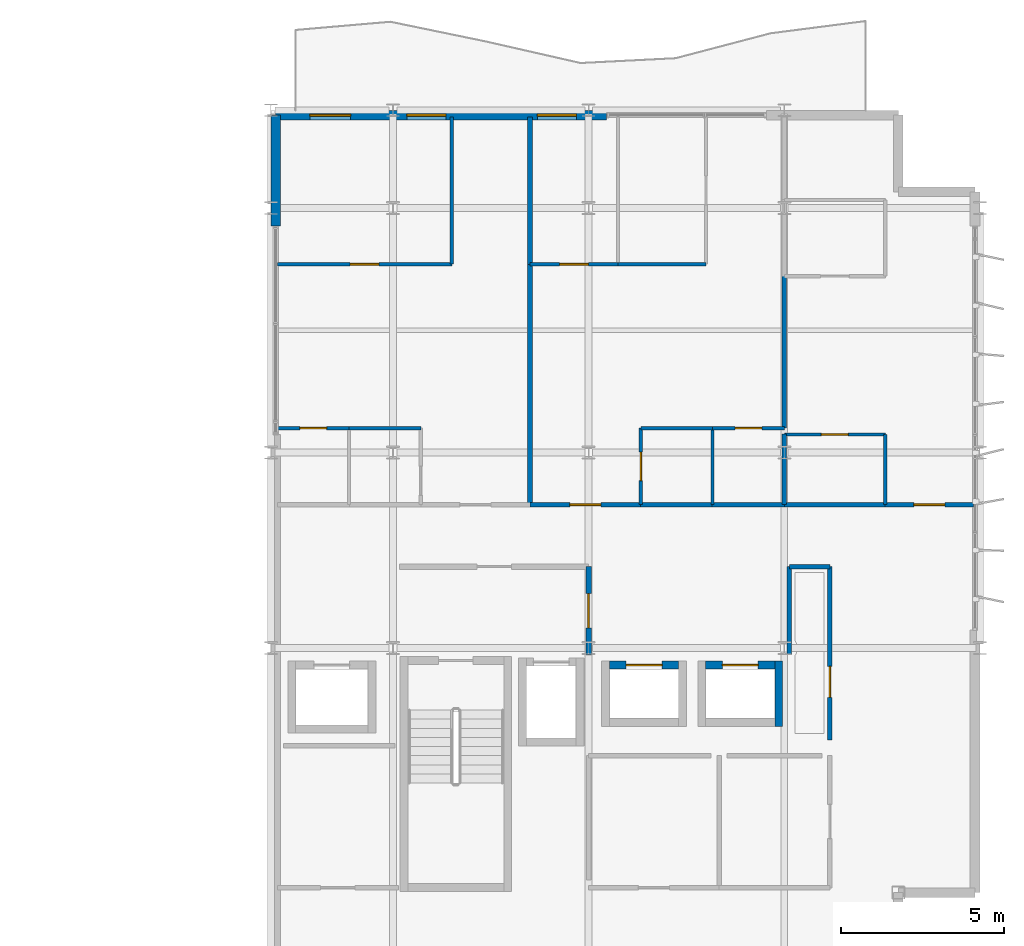
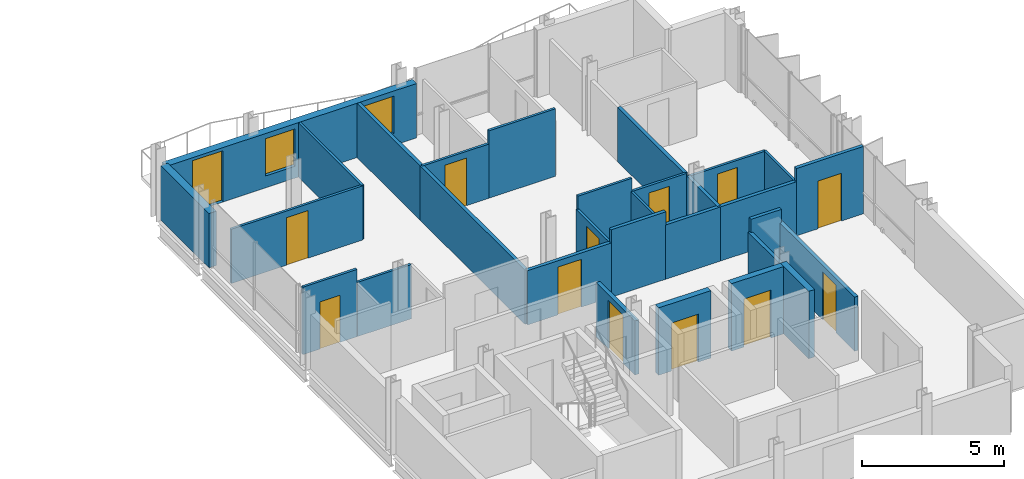
# One storey, part 24 of 29: 30 walls, 13 doors, 2 windows, 15 openings.
"""IFC4 building model written with IfcOpenShell, lengths in metres."""

from ifc_helpers import new_model, si_unit, direction, frame, frame_2d, origin, place, context, subcontext, project, spatial, rectangle, extrude, material, layer, layer_set, type_object, element, fill, save


model = new_model("IFC4")

# Units and contexts
model_context = context("Model", 3, precision=1e-05, world=origin(), true_north=direction((0.0, 1.0)))
body_context = subcontext(model_context, "Body", "Model", "MODEL_VIEW")
ifc_project = project(units=[si_unit("LENGTHUNIT", "METRE"), si_unit("AREAUNIT", "SQUARE_METRE"), si_unit("VOLUMEUNIT", "CUBIC_METRE"), si_unit("PLANEANGLEUNIT", "RADIAN"), si_unit("MASSUNIT", "GRAM", prefix="KILO")], contexts=[model_context])

# Site, building, storey
site_placement = place(None, origin())
site = spatial("IfcSite", under=ifc_project, at=site_placement, CompositionType="ELEMENT")
building_placement = place(site_placement, origin())
building = spatial("IfcBuilding", under=site, at=building_placement, Name="Brevholm Reach", CompositionType="ELEMENT")
storey_placement = place(building_placement, frame((0.0, 0.0, 198.699951171875)))
storey = spatial("IfcBuildingStorey", under=building, at=storey_placement, Name="L60", CompositionType="ELEMENT", Elevation=198.699951171875)

# Wall, opening, door
ifc_material_1 = material(Name="Concrete C45/55", Category="concrete")
ifc_layer_1 = layer(ifc_material_1, 0.239990234375)
ifc_layer_set_1 = layer_set([ifc_layer_1], Name="Concrete C45/55")
wall_type_1 = type_object("IfcWallType", Name="WAL-COR-240", PredefinedType="SHEAR", material=ifc_layer_set_1)
wall_1_placement = place(storey_placement, frame((48.639892578125, 9.47998046875, 0.0), z_axis=(0.0, 0.0, 1.0), x_axis=(1.0, 0.0, 0.0)))
wall_1 = element("IfcWall", 1, at=wall_1_placement, inside=storey, type_object=wall_type_1, Name="L60 Lift PL-H1 Shaft Wall N", PredefinedType="SHEAR", context=body_context, shape_type="SweptSolid", body=[
    extrude(rectangle(XDim=2.1201171875, YDim=0.239990234375, at=frame_2d((1.06005859375, 0.0))), origin(), (0.0, 0.0, 1.0), 2.89013671875),
])
opening_1_placement = place(wall_1_placement, frame((0.510009765625, 0.0, 0.0)))
opening_1 = element("IfcOpeningElement", 2, at=opening_1_placement, cuts=wall_1, Name="Opening LD-PL-H1", PredefinedType="OPENING", context=body_context, shape_type="SweptSolid", body=[
    extrude(rectangle(XDim=1.10009765625, YDim=2.06005859375, at=frame_2d((0.550048828125, 1.030029296875))), frame((0.0, 0.1298828125, 0.0), z_axis=(0.0, -1.0, 0.0), x_axis=(1.0, 0.0, 0.0)), (0.0, 0.0, 1.0), 0.260009765625),
])
ifc_material_2 = material(Name="Brushed Stainless Steel Fire-Rated Sliding Lift Door", Category="steel")
door_type_1 = type_object("IfcDoorType", Name="DOR-LFT-1100", OperationType="NOTDEFINED", PredefinedType="DOOR", material=ifc_material_2)
door_1_placement = place(opening_1_placement, origin())
door_1 = element("IfcDoor", 3, at=door_1_placement, inside=storey, type_object=door_type_1, Name="L60 Lift PL-H1 Sliding Landing Door", OperationType="SLIDING_TO_LEFT", OverallHeight=2.06005859375, OverallWidth=1.10009765625, PredefinedType="DOOR", context=body_context, shape_type="SweptSolid", body=[
    extrude(rectangle(XDim=1.10009765625, YDim=2.06005859375, at=frame_2d((0.550048828125, 1.030029296875))), frame((0.0, 0.02490234375, 0.0), z_axis=(0.0, -1.0, 0.0), x_axis=(1.0, 0.0, 0.0)), (0.0, 0.0, 1.0), 0.050048828125),
])
fill(opening_1, door_1)

# Wall
wall_2_placement = place(storey_placement, frame((53.830078125, 7.60009765625, 0.0), z_axis=(0.0, 0.0, 1.0), x_axis=(0.0, 1.0, 0.0)))
element("IfcWall", 4, at=wall_2_placement, inside=storey, type_object=wall_type_1, Name="L60 Lift PL-H2 Shaft Wall E", PredefinedType="SHEAR", context=body_context, shape_type="SweptSolid", body=[
    extrude(rectangle(XDim=2.0, YDim=0.239990234375, at=frame_2d((1.0, 0.0))), origin(), (0.0, 0.0, 1.0), 2.89013671875),
])

# Wall, opening, door
wall_3_placement = place(storey_placement, frame((51.590087890625, 9.47998046875, 0.0), z_axis=(0.0, 0.0, 1.0), x_axis=(1.0, 0.0, 0.0)))
wall_3 = element("IfcWall", 5, at=wall_3_placement, inside=storey, type_object=wall_type_1, Name="L60 Lift PL-H2 Shaft Wall N", PredefinedType="SHEAR", context=body_context, shape_type="SweptSolid", body=[
    extrude(rectangle(XDim=2.119873046875, YDim=0.239990234375, at=frame_2d((1.06005859375, 0.0))), origin(), (0.0, 0.0, 1.0), 2.89013671875),
])
opening_2_placement = place(wall_3_placement, frame((0.510009765625, 0.0, 0.0)))
opening_2 = element("IfcOpeningElement", 6, at=opening_2_placement, cuts=wall_3, Name="Opening LD-PL-H2", PredefinedType="OPENING", context=body_context, shape_type="SweptSolid", body=[
    extrude(rectangle(XDim=1.10009765625, YDim=2.06005859375, at=frame_2d((0.550048828125, 1.030029296875))), frame((0.0, 0.1298828125, 0.0), z_axis=(0.0, -1.0, 0.0), x_axis=(1.0, 0.0, 0.0)), (0.0, 0.0, 1.0), 0.260009765625),
])
door_2_placement = place(opening_2_placement, origin())
door_2 = element("IfcDoor", 7, at=door_2_placement, inside=storey, type_object=door_type_1, Name="L60 Lift PL-H2 Sliding Landing Door", OperationType="SLIDING_TO_RIGHT", OverallHeight=2.06005859375, OverallWidth=1.10009765625, PredefinedType="DOOR", context=body_context, shape_type="SweptSolid", body=[
    extrude(rectangle(XDim=1.10009765625, YDim=2.06005859375, at=frame_2d((0.550048828125, 1.030029296875))), frame((0.0, 0.02490234375, 0.0), z_axis=(0.0, -1.0, 0.0), x_axis=(1.0, 0.0, 0.0)), (0.0, 0.0, 1.0), 0.050048828125),
])
fill(opening_2, door_2)

# Wall
ifc_material_3 = material(Name="Concrete C40/50", Category="concrete")
ifc_layer_2 = layer(ifc_material_3, 0.300048828125)
ifc_layer_set_2 = layer_set([ifc_layer_2], Name="Concrete C40/50")
wall_type_2 = type_object("IfcWallType", Name="WAL-EXT-300", PredefinedType="STANDARD", material=ifc_layer_set_2)
wall_4_placement = place(storey_placement, frame((38.39990234375, 26.35009765625, 0.0), z_axis=(0.0, 0.0, 1.0), x_axis=(0.0, -1.0, 0.0)))
element("IfcWall", 8, at=wall_4_placement, inside=storey, type_object=wall_type_2, Name="L60 Facade Wall WAL-L60-VP-EN", PredefinedType="STANDARD", context=body_context, shape_type="SweptSolid", body=[
    extrude(rectangle(XDim=3.400146484375, YDim=0.300048828125, at=frame_2d((1.7001953125, 0.0))), origin(), (0.0, 0.0, 1.0), 2.33203125),
])

# Wall, openings, door, windows
wall_5_placement = place(storey_placement, frame((38.39990234375, 26.35009765625, 0.0), z_axis=(0.0, 0.0, 1.0), x_axis=(1.0, 0.0, 0.0)))
wall_5 = element("IfcWall", 9, at=wall_5_placement, inside=storey, type_object=wall_type_2, Name="L60 Facade Wall WAL-L60-EW-NP1", PredefinedType="STANDARD", context=body_context, shape_type="SweptSolid", body=[
    extrude(rectangle(XDim=10.150146484375, YDim=0.300048828125, at=frame_2d((5.0751953125, 0.0))), origin(), (0.0, 0.0, 1.0), 2.33203125),
])
opening_3_placement = place(wall_5_placement, frame((1.051025390625, 0.0, 0.0)))
opening_3 = element("IfcOpeningElement", 10, at=opening_3_placement, cuts=wall_5, Name="Opening BD-02", PredefinedType="OPENING", context=body_context, shape_type="SweptSolid", body=[
    extrude(rectangle(XDim=1.25, YDim=2.199951171875, at=frame_2d((0.625, 1.10009765625))), frame((0.0, 0.159912109375, 0.0), z_axis=(0.0, -1.0, 0.0), x_axis=(1.0, 0.0, 0.0)), (0.0, 0.0, 1.0), 0.320068359375),
])
opening_4_placement = place(wall_5_placement, frame((4.02001953125, 0.0, 0.511962890625)))
opening_4 = element("IfcOpeningElement", 11, at=opening_4_placement, cuts=wall_5, Name="Opening WN-08", PredefinedType="OPENING", context=body_context, shape_type="SweptSolid", body=[
    extrude(rectangle(XDim=1.199951171875, YDim=1.60009765625, at=frame_2d((0.60009765625, 0.800048828125))), frame((0.0, 0.159912109375, 0.0), z_axis=(0.0, -1.0, 0.0), x_axis=(1.0, 0.0, 0.0)), (0.0, 0.0, 1.0), 0.320068359375),
])
opening_5_placement = place(wall_5_placement, frame((8.025390625, 0.0, 0.511962890625)))
opening_5 = element("IfcOpeningElement", 12, at=opening_5_placement, cuts=wall_5, Name="Opening WN-08", PredefinedType="OPENING", context=body_context, shape_type="SweptSolid", body=[
    extrude(rectangle(XDim=1.199951171875, YDim=1.60009765625, at=frame_2d((0.60009765625, 0.800048828125))), frame((0.0, 0.159912109375, 0.0), z_axis=(0.0, -1.0, 0.0), x_axis=(1.0, 0.0, 0.0)), (0.0, 0.0, 1.0), 0.320068359375),
])
ifc_material_4 = material(Name="Dark Anodised Aluminium and Triple-Glazed Glass", Category="aluminium")
door_type_2 = type_object("IfcDoorType", Name="DOR-BALC-1250", OperationType="NOTDEFINED", PredefinedType="DOOR", material=ifc_material_4)
door_3_placement = place(opening_3_placement, origin())
door_3 = element("IfcDoor", 13, at=door_3_placement, inside=storey, type_object=door_type_2, Name="L60 Exterior Door DOR-L60-BL-NE", OperationType="SINGLE_SWING_RIGHT", OverallHeight=2.199951171875, OverallWidth=1.25, PredefinedType="DOOR", context=body_context, shape_type="SweptSolid", body=[
    extrude(rectangle(XDim=1.25, YDim=2.199951171875, at=frame_2d((0.625, 1.10009765625))), frame((0.0, 0.02490234375, 0.0), z_axis=(0.0, -1.0, 0.0), x_axis=(1.0, 0.0, 0.0)), (0.0, 0.0, 1.0), 0.050048828125),
])
fill(opening_3, door_3)
ifc_material_5 = material(Name="Dark Anodised Aluminium and Solar-Control IGU Glass", Category="aluminium")
window_type = type_object("IfcWindowType", Name="WIN-RES-1200", PartitioningType="SINGLE_PANEL", PredefinedType="WINDOW", material=ifc_material_5)
window_1_placement = place(opening_4_placement, origin())
window_1 = element("IfcWindow", 14, at=window_1_placement, inside=storey, type_object=window_type, Name="L60 Window WIN-L60-EW-NP1", OverallHeight=1.60009765625, OverallWidth=1.199951171875, PartitioningType="SINGLE_PANEL", PredefinedType="WINDOW", context=body_context, shape_type="SweptSolid", body=[
    extrude(rectangle(XDim=1.199951171875, YDim=1.60009765625, at=frame_2d((0.60009765625, 0.800048828125))), frame((0.0, 0.030029296875, 0.0), z_axis=(0.0, -1.0, 0.0), x_axis=(1.0, 0.0, 0.0)), (0.0, 0.0, 1.0), 0.06005859375),
])
fill(opening_4, window_1)
window_2_placement = place(opening_5_placement, origin())
window_2 = element("IfcWindow", 15, at=window_2_placement, inside=storey, type_object=window_type, Name="L60 Bedroom Window 061", OverallHeight=1.60009765625, OverallWidth=1.199951171875, PartitioningType="SINGLE_PANEL", PredefinedType="WINDOW", context=body_context, shape_type="SweptSolid", body=[
    extrude(rectangle(XDim=1.199951171875, YDim=1.60009765625, at=frame_2d((0.60009765625, 0.800048828125))), frame((0.0, 0.030029296875, 0.0), z_axis=(0.0, -1.0, 0.0), x_axis=(1.0, 0.0, 0.0)), (0.0, 0.0, 1.0), 0.06005859375),
])
fill(opening_5, window_2)

# Wall, opening, door
ifc_material_6 = material(Name="Moisture-Resistant Acoustic Gypsum Stud Partition 100 mm", Category="gypsum")
ifc_layer_3 = layer(ifc_material_6, 0.10009765625)
ifc_layer_set_3 = layer_set([ifc_layer_3], Name="Moisture-Resistant Acoustic Gypsum Stud Partition 100 mm")
wall_type_3 = type_object("IfcWallType", Name="WAL-PRT-100", PredefinedType="PARTITIONING", material=ifc_layer_set_3)
wall_6_placement = place(storey_placement, frame((38.449951171875, 16.75, 0.0), z_axis=(0.0, 0.0, 1.0), x_axis=(1.0, 0.0, 0.0)))
wall_6 = element("IfcWall", 16, at=wall_6_placement, inside=storey, type_object=wall_type_3, Name="L60 Internal Partition 071", PredefinedType="PARTITIONING", context=body_context, shape_type="SweptSolid", body=[
    extrude(rectangle(XDim=2.199951171875, YDim=0.10009765625, at=frame_2d((1.10009765625, 0.0))), origin(), (0.0, 0.0, 1.0), 2.89013671875),
])
opening_6_placement = place(wall_6_placement, frame((0.68994140625, 0.0, 0.0)))
opening_6 = element("IfcOpeningElement", 17, at=opening_6_placement, cuts=wall_6, Name="Opening ID-03", PredefinedType="OPENING", context=body_context, shape_type="SweptSolid", body=[
    extrude(rectangle(XDim=0.820068359375, YDim=2.02001953125, at=frame_2d((0.41015625, 1.010009765625))), frame((0.0, 0.06005859375, 0.0), z_axis=(0.0, -1.0, 0.0), x_axis=(1.0, 0.0, 0.0)), (0.0, 0.0, 1.0), 0.1201171875),
])
ifc_material_7 = material(Name="Moisture-Resistant Painted Timber Internal Bathroom Door", Category="wood")
door_type_3 = type_object("IfcDoorType", Name="DOR-BATH-820", OperationType="NOTDEFINED", PredefinedType="DOOR", material=ifc_material_7)
door_4_placement = place(opening_6_placement, origin())
door_4 = element("IfcDoor", 18, at=door_4_placement, inside=storey, type_object=door_type_3, Name="L60 Internal Door 032", OperationType="SINGLE_SWING_LEFT", OverallHeight=2.02001953125, OverallWidth=0.820068359375, PredefinedType="DOOR", context=body_context, shape_type="SweptSolid", body=[
    extrude(rectangle(XDim=0.820068359375, YDim=2.02001953125, at=frame_2d((0.41015625, 1.010009765625))), frame((0.0, 0.02490234375, 0.0), z_axis=(0.0, -1.0, 0.0), x_axis=(1.0, 0.0, 0.0)), (0.0, 0.0, 1.0), 0.050048828125),
])
fill(opening_6, door_4)

# Wall
wall_7_placement = place(storey_placement, frame((40.654052734375, 16.75, 0.0), z_axis=(0.0, 0.0, 1.0), x_axis=(1.0, 0.0, 0.0)))
element("IfcWall", 19, at=wall_7_placement, inside=storey, type_object=wall_type_3, Name="L60 Internal Partition 073", PredefinedType="PARTITIONING", context=body_context, shape_type="SweptSolid", body=[
    extrude(rectangle(XDim=2.196044921875, YDim=0.10009765625, at=frame_2d((1.09814453125, 0.0))), origin(), (0.0, 0.0, 1.0), 2.325439453125),
])

# Wall, opening, door
wall_8_placement = place(storey_placement, frame((38.449951171875, 21.778076171875, 0.0), z_axis=(0.0, 0.0, 1.0), x_axis=(1.0, 0.0, 0.0)))
wall_8 = element("IfcWall", 20, at=wall_8_placement, inside=storey, type_object=wall_type_3, Name="L60 Internal Partition 074", PredefinedType="PARTITIONING", context=body_context, shape_type="SweptSolid", body=[
    extrude(rectangle(XDim=5.35009765625, YDim=0.10009765625, at=frame_2d((2.675048828125, 0.0))), origin(), (0.0, 0.0, 1.0), 2.325439453125),
])
opening_7_placement = place(wall_8_placement, frame((2.235107421875, 0.0, 0.0)))
opening_7 = element("IfcOpeningElement", 21, at=opening_7_placement, cuts=wall_8, Name="Opening ID-01", PredefinedType="OPENING", context=body_context, shape_type="SweptSolid", body=[
    extrude(rectangle(XDim=0.8798828125, YDim=2.0400390625, at=frame_2d((0.43994140625, 1.02001953125))), frame((0.0, 0.06005859375, 0.0), z_axis=(0.0, -1.0, 0.0), x_axis=(1.0, 0.0, 0.0)), (0.0, 0.0, 1.0), 0.1201171875),
])
ifc_material_8 = material(Name="Lacquered Ash Solid-Core Acoustic Internal Door", Category="timber")
door_type_4 = type_object("IfcDoorType", Name="DOR-INT-880", OperationType="NOTDEFINED", PredefinedType="DOOR", material=ifc_material_8)
door_5_placement = place(opening_7_placement, origin())
door_5 = element("IfcDoor", 22, at=door_5_placement, inside=storey, type_object=door_type_4, Name="L60 Internal Door 034", OperationType="SINGLE_SWING_LEFT", OverallHeight=2.0400390625, OverallWidth=0.8798828125, PredefinedType="DOOR", context=body_context, shape_type="SweptSolid", body=[
    extrude(rectangle(XDim=0.8798828125, YDim=2.0400390625, at=frame_2d((0.43994140625, 1.02001953125))), frame((0.0, 0.02490234375, 0.0), z_axis=(0.0, -1.0, 0.0), x_axis=(1.0, 0.0, 0.0)), (0.0, 0.0, 1.0), 0.050048828125),
])
fill(opening_7, door_5)

# Walls
wall_9_placement = place(storey_placement, frame((43.800048828125, 21.778076171875, 0.0), z_axis=(0.0, 0.0, 1.0), x_axis=(0.0, 1.0, 0.0)))
element("IfcWall", 23, at=wall_9_placement, inside=storey, type_object=wall_type_3, Name="L60 Internal Partition 075", PredefinedType="PARTITIONING", context=body_context, shape_type="SweptSolid", body=[
    extrude(rectangle(XDim=4.52197265625, YDim=0.10009765625, at=frame_2d((2.260986328125, 0.0))), origin(), (0.0, 0.0, 1.0), 2.325439453125),
])
wall_10_placement = place(storey_placement, frame((51.800048828125, 14.404052734375, 0.0), z_axis=(0.0, 0.0, 1.0), x_axis=(0.0, 1.0, 0.0)))
element("IfcWall", 24, at=wall_10_placement, inside=storey, type_object=wall_type_3, Name="L60 Internal Partition 078", PredefinedType="PARTITIONING", context=body_context, shape_type="SweptSolid", body=[
    extrude(rectangle(XDim=2.345947265625, YDim=0.10009765625, at=frame_2d((1.1728515625, 0.0))), origin(), (0.0, 0.0, 1.0), 2.325439453125),
])

# Wall, opening, door
wall_11_placement = place(storey_placement, frame((51.800048828125, 16.75, 0.0), z_axis=(0.0, 0.0, 1.0), x_axis=(1.0, 0.0, 0.0)))
wall_11 = element("IfcWall", 25, at=wall_11_placement, inside=storey, type_object=wall_type_3, Name="L60 Internal Partition 079", PredefinedType="PARTITIONING", context=body_context, shape_type="SweptSolid", body=[
    extrude(rectangle(XDim=2.199951171875, YDim=0.10009765625, at=frame_2d((1.10009765625, 0.0))), origin(), (0.0, 0.0, 1.0), 2.325439453125),
])
opening_8_placement = place(wall_11_placement, frame((0.68994140625, 0.0, 0.0)))
opening_8 = element("IfcOpeningElement", 26, at=opening_8_placement, cuts=wall_11, Name="Opening ID-03", PredefinedType="OPENING", context=body_context, shape_type="SweptSolid", body=[
    extrude(rectangle(XDim=0.820068359375, YDim=2.02001953125, at=frame_2d((0.41015625, 1.010009765625))), frame((0.0, 0.06005859375, 0.0), z_axis=(0.0, -1.0, 0.0), x_axis=(1.0, 0.0, 0.0)), (0.0, 0.0, 1.0), 0.1201171875),
])
door_6_placement = place(opening_8_placement, origin())
door_6 = element("IfcDoor", 27, at=door_6_placement, inside=storey, type_object=door_type_3, Name="L60 Internal Door 035", OperationType="SINGLE_SWING_RIGHT", OverallHeight=2.02001953125, OverallWidth=0.820068359375, PredefinedType="DOOR", context=body_context, shape_type="SweptSolid", body=[
    extrude(rectangle(XDim=0.820068359375, YDim=2.02001953125, at=frame_2d((0.41015625, 1.010009765625))), frame((0.0, 0.02490234375, 0.0), z_axis=(0.0, -1.0, 0.0), x_axis=(1.0, 0.0, 0.0)), (0.0, 0.0, 1.0), 0.050048828125),
])
fill(opening_8, door_6)

# Wall
wall_12_placement = place(storey_placement, frame((49.60009765625, 16.75, 0.0), z_axis=(0.0, 0.0, 1.0), x_axis=(1.0, 0.0, 0.0)))
element("IfcWall", 28, at=wall_12_placement, inside=storey, type_object=wall_type_3, Name="L60 Internal Partition 081", PredefinedType="PARTITIONING", context=body_context, shape_type="SweptSolid", body=[
    extrude(rectangle(XDim=2.19580078125, YDim=0.10009765625, at=frame_2d((1.097900390625, 0.0))), origin(), (0.0, 0.0, 1.0), 2.89013671875),
])

# Wall, opening, door
wall_13_placement = place(storey_placement, frame((49.60009765625, 14.404052734375, 0.0), z_axis=(0.0, 0.0, 1.0), x_axis=(0.0, 1.0, 0.0)))
wall_13 = element("IfcWall", 29, at=wall_13_placement, inside=storey, type_object=wall_type_3, Name="L60 Internal Partition 082", PredefinedType="PARTITIONING", context=body_context, shape_type="SweptSolid", body=[
    extrude(rectangle(XDim=2.345947265625, YDim=0.10009765625, at=frame_2d((1.1728515625, 0.0))), origin(), (0.0, 0.0, 1.0), 2.325439453125),
])
opening_9_placement = place(wall_13_placement, frame((0.73291015625, 0.0, 0.0)))
opening_9 = element("IfcOpeningElement", 30, at=opening_9_placement, cuts=wall_13, Name="Opening ID-01", PredefinedType="OPENING", context=body_context, shape_type="SweptSolid", body=[
    extrude(rectangle(XDim=0.8798828125, YDim=2.0400390625, at=frame_2d((0.43994140625, 1.02001953125))), frame((0.0, 0.06005859375, 0.0), z_axis=(0.0, -1.0, 0.0), x_axis=(1.0, 0.0, 0.0)), (0.0, 0.0, 1.0), 0.1201171875),
])
door_7_placement = place(opening_9_placement, origin())
door_7 = element("IfcDoor", 31, at=door_7_placement, inside=storey, type_object=door_type_4, Name="L60 Internal Door 036", OperationType="SINGLE_SWING_LEFT", OverallHeight=2.0400390625, OverallWidth=0.8798828125, PredefinedType="DOOR", context=body_context, shape_type="SweptSolid", body=[
    extrude(rectangle(XDim=0.8798828125, YDim=2.0400390625, at=frame_2d((0.43994140625, 1.02001953125))), frame((0.0, 0.02490234375, 0.0), z_axis=(0.0, -1.0, 0.0), x_axis=(1.0, 0.0, 0.0)), (0.0, 0.0, 1.0), 0.050048828125),
])
fill(opening_9, door_7)

wall_14_placement = place(storey_placement, frame((46.2041015625, 21.778076171875, 0.0), z_axis=(0.0, 0.0, 1.0), x_axis=(1.0, 0.0, 0.0)))
wall_14 = element("IfcWall", 32, at=wall_14_placement, inside=storey, type_object=wall_type_3, Name="L60 Internal Partition 084", PredefinedType="PARTITIONING", context=body_context, shape_type="SweptSolid", body=[
    extrude(rectangle(XDim=2.69580078125, YDim=0.10009765625, at=frame_2d((1.347900390625, 0.0))), origin(), (0.0, 0.0, 1.0), 2.325439453125),
])
opening_10_placement = place(wall_14_placement, frame((0.907958984375, 0.0, 0.0)))
opening_10 = element("IfcOpeningElement", 33, at=opening_10_placement, cuts=wall_14, Name="Opening ID-01", PredefinedType="OPENING", context=body_context, shape_type="SweptSolid", body=[
    extrude(rectangle(XDim=0.8798828125, YDim=2.0400390625, at=frame_2d((0.43994140625, 1.02001953125))), frame((0.0, 0.06005859375, 0.0), z_axis=(0.0, -1.0, 0.0), x_axis=(1.0, 0.0, 0.0)), (0.0, 0.0, 1.0), 0.1201171875),
])
door_8_placement = place(opening_10_placement, origin())
door_8 = element("IfcDoor", 34, at=door_8_placement, inside=storey, type_object=door_type_4, Name="L60 Internal Door 037", OperationType="SINGLE_SWING_RIGHT", OverallHeight=2.0400390625, OverallWidth=0.8798828125, PredefinedType="DOOR", context=body_context, shape_type="SweptSolid", body=[
    extrude(rectangle(XDim=0.8798828125, YDim=2.0400390625, at=frame_2d((0.43994140625, 1.02001953125))), frame((0.0, 0.02490234375, 0.0), z_axis=(0.0, -1.0, 0.0), x_axis=(1.0, 0.0, 0.0)), (0.0, 0.0, 1.0), 0.050048828125),
])
fill(opening_10, door_8)

# Walls
wall_15_placement = place(storey_placement, frame((48.904052734375, 21.778076171875, 0.0), z_axis=(0.0, 0.0, 1.0), x_axis=(1.0, 0.0, 0.0)))
element("IfcWall", 35, at=wall_15_placement, inside=storey, type_object=wall_type_3, Name="L60 Internal Partition 085", PredefinedType="PARTITIONING", context=body_context, shape_type="SweptSolid", body=[
    extrude(rectangle(XDim=2.696044921875, YDim=0.10009765625, at=frame_2d((1.34814453125, 0.0))), origin(), (0.0, 0.0, 1.0), 2.89013671875),
])
wall_16_placement = place(storey_placement, frame((57.10009765625, 14.404052734375, 0.0), z_axis=(0.0, 0.0, 1.0), x_axis=(0.0, 1.0, 0.0)))
element("IfcWall", 36, at=wall_16_placement, inside=storey, type_object=wall_type_3, Name="L60 Internal Partition 090", PredefinedType="PARTITIONING", context=body_context, shape_type="SweptSolid", body=[
    extrude(rectangle(XDim=2.14697265625, YDim=0.10009765625, at=frame_2d((1.073486328125, 0.0))), origin(), (0.0, 0.0, 1.0), 2.325439453125),
])

# Wall, opening, door
wall_17_placement = place(storey_placement, frame((54.00390625, 16.551025390625, 0.0), z_axis=(0.0, 0.0, 1.0), x_axis=(1.0, 0.0, 0.0)))
wall_17 = element("IfcWall", 37, at=wall_17_placement, inside=storey, type_object=wall_type_3, Name="L60 Internal Partition 091", PredefinedType="PARTITIONING", context=body_context, shape_type="SweptSolid", body=[
    extrude(rectangle(XDim=3.09619140625, YDim=0.10009765625, at=frame_2d((1.548095703125, 0.0))), origin(), (0.0, 0.0, 1.0), 2.325439453125),
])
opening_11_placement = place(wall_17_placement, frame((1.137939453125, 0.0, 0.0)))
opening_11 = element("IfcOpeningElement", 38, at=opening_11_placement, cuts=wall_17, Name="Opening ID-03", PredefinedType="OPENING", context=body_context, shape_type="SweptSolid", body=[
    extrude(rectangle(XDim=0.820068359375, YDim=2.02001953125, at=frame_2d((0.41015625, 1.010009765625))), frame((0.0, 0.06005859375, 0.0), z_axis=(0.0, -1.0, 0.0), x_axis=(1.0, 0.0, 0.0)), (0.0, 0.0, 1.0), 0.1201171875),
])
door_9_placement = place(opening_11_placement, origin())
door_9 = element("IfcDoor", 39, at=door_9_placement, inside=storey, type_object=door_type_3, Name="L60 Internal Door 039", OperationType="SINGLE_SWING_RIGHT", OverallHeight=2.02001953125, OverallWidth=0.820068359375, PredefinedType="DOOR", context=body_context, shape_type="SweptSolid", body=[
    extrude(rectangle(XDim=0.820068359375, YDim=2.02001953125, at=frame_2d((0.41015625, 1.010009765625))), frame((0.0, 0.02490234375, 0.0), z_axis=(0.0, -1.0, 0.0), x_axis=(1.0, 0.0, 0.0)), (0.0, 0.0, 1.0), 0.050048828125),
])
fill(opening_11, door_9)

ifc_material_9 = material(Name="Twin-Stud Acoustic Fire-Rated Gypsum Partition 140 mm", Category="gypsum")
ifc_layer_4 = layer(ifc_material_9, 0.139892578125)
ifc_layer_set_4 = layer_set([ifc_layer_4], Name="Twin-Stud Acoustic Fire-Rated Gypsum Partition 140 mm")
wall_type_4 = type_object("IfcWallType", Name="WAL-PRT-140", PredefinedType="PARTITIONING", material=ifc_layer_set_4)
wall_18_placement = place(storey_placement, frame((55.39990234375, 7.188720703125, 0.0), z_axis=(0.0, 0.0, 1.0), x_axis=(0.0, 1.0, 0.0)))
wall_18 = element("IfcWall", 40, at=wall_18_placement, inside=storey, type_object=wall_type_4, Name="L60 Internal Partition 007", PredefinedType="PARTITIONING", context=body_context, shape_type="SweptSolid", body=[
    extrude(rectangle(XDim=5.311279296875, YDim=0.139892578125, at=frame_2d((2.65576171875, 0.0))), origin(), (0.0, 0.0, 1.0), 2.325439453125),
])
opening_12_placement = place(wall_18_placement, frame((1.30078125, 0.0, 0.0)))
opening_12 = element("IfcOpeningElement", 41, at=opening_12_placement, cuts=wall_18, Name="Opening ID-30", PredefinedType="OPENING", context=body_context, shape_type="SweptSolid", body=[
    extrude(rectangle(XDim=0.949951171875, YDim=2.050048828125, at=frame_2d((0.47509765625, 1.02490234375))), frame((0.0, 0.079833984375, 0.0), z_axis=(0.0, -1.0, 0.0), x_axis=(1.0, 0.0, 0.0)), (0.0, 0.0, 1.0), 0.159912109375),
])
ifc_material_10 = material(Name="European Oak Veneered Solid-Core Fire Entrance Door", Category="timber")
door_type_5 = type_object("IfcDoorType", Name="DOR-FLT-FD30S", OperationType="NOTDEFINED", PredefinedType="DOOR", material=ifc_material_10)
door_10_placement = place(opening_12_placement, origin())
door_10 = element("IfcDoor", 42, at=door_10_placement, inside=storey, type_object=door_type_5, Name="L60 Internal Door 005", OperationType="SINGLE_SWING_RIGHT", OverallHeight=2.050048828125, OverallWidth=0.949951171875, PredefinedType="DOOR", context=body_context, shape_type="SweptSolid", body=[
    extrude(rectangle(XDim=0.949951171875, YDim=2.050048828125, at=frame_2d((0.47509765625, 1.02490234375))), frame((0.0, 0.02490234375, 0.0), z_axis=(0.0, -1.0, 0.0), x_axis=(1.0, 0.0, 0.0)), (0.0, 0.0, 1.0), 0.050048828125),
])
fill(opening_12, door_10)

# Walls
wall_19_placement = place(storey_placement, frame((54.14990234375, 9.800048828125, 0.0), z_axis=(0.0, 0.0, 1.0), x_axis=(0.0, 1.0, 0.0)))
element("IfcWall", 43, at=wall_19_placement, inside=storey, type_object=wall_type_4, Name="L60 Internal Partition 029", PredefinedType="PARTITIONING", context=body_context, shape_type="SweptSolid", body=[
    extrude(rectangle(XDim=2.699951171875, YDim=0.139892578125, at=frame_2d((1.35009765625, 0.0))), origin(), (0.0, 0.0, 1.0), 2.325439453125),
])
wall_20_placement = place(storey_placement, frame((54.154052734375, 12.5, 0.0), z_axis=(0.0, 0.0, 1.0), x_axis=(1.0, 0.0, 0.0)))
element("IfcWall", 44, at=wall_20_placement, inside=storey, type_object=wall_type_4, Name="L60 Internal Partition 030", PredefinedType="PARTITIONING", context=body_context, shape_type="SweptSolid", body=[
    extrude(rectangle(XDim=1.241943359375, YDim=0.139892578125, at=frame_2d((0.62109375, 0.0))), origin(), (0.0, 0.0, 1.0), 2.89013671875),
])
wall_21_placement = place(storey_placement, frame((51.788818359375, 14.39990234375, 0.0), z_axis=(0.0, 0.0, 1.0), x_axis=(1.0, 0.0, 0.0)))
element("IfcWall", 45, at=wall_21_placement, inside=storey, type_object=wall_type_4, Name="L60 Internal Partition 034", PredefinedType="PARTITIONING", context=body_context, shape_type="SweptSolid", body=[
    extrude(rectangle(XDim=2.222412109375, YDim=0.139892578125, at=frame_2d((1.111328125, 0.0))), origin(), (0.0, 0.0, 1.0), 2.325439453125),
])
wall_22_placement = place(storey_placement, frame((49.588623046875, 14.39990234375, 0.0), z_axis=(0.0, 0.0, 1.0), x_axis=(1.0, 0.0, 0.0)))
element("IfcWall", 46, at=wall_22_placement, inside=storey, type_object=wall_type_4, Name="L60 Internal Partition 035", PredefinedType="PARTITIONING", context=body_context, shape_type="SweptSolid", body=[
    extrude(rectangle(XDim=2.21875, YDim=0.139892578125, at=frame_2d((1.109375, 0.0))), origin(), (0.0, 0.0, 1.0), 2.89013671875),
])

# Wall, opening, door
wall_23_placement = place(storey_placement, frame((46.192626953125, 14.39990234375, 0.0), z_axis=(0.0, 0.0, 1.0), x_axis=(1.0, 0.0, 0.0)))
wall_23 = element("IfcWall", 47, at=wall_23_placement, inside=storey, type_object=wall_type_4, Name="L60 Internal Partition 036", PredefinedType="PARTITIONING", context=body_context, shape_type="SweptSolid", body=[
    extrude(rectangle(XDim=3.414794921875, YDim=0.139892578125, at=frame_2d((1.70751953125, 0.0))), origin(), (0.0, 0.0, 1.0), 2.325439453125),
])
opening_13_placement = place(wall_23_placement, frame((1.232421875, 0.0, 0.0)))
opening_13 = element("IfcOpeningElement", 48, at=opening_13_placement, cuts=wall_23, Name="Opening ID-30", PredefinedType="OPENING", context=body_context, shape_type="SweptSolid", body=[
    extrude(rectangle(XDim=0.949951171875, YDim=2.050048828125, at=frame_2d((0.47509765625, 1.02490234375))), frame((0.0, 0.079833984375, 0.0), z_axis=(0.0, -1.0, 0.0), x_axis=(1.0, 0.0, 0.0)), (0.0, 0.0, 1.0), 0.159912109375),
])
door_11_placement = place(opening_13_placement, origin())
door_11 = element("IfcDoor", 49, at=door_11_placement, inside=storey, type_object=door_type_5, Name="L60 Internal Door 017", OperationType="SINGLE_SWING_RIGHT", OverallHeight=2.050048828125, OverallWidth=0.949951171875, PredefinedType="DOOR", context=body_context, shape_type="SweptSolid", body=[
    extrude(rectangle(XDim=0.949951171875, YDim=2.050048828125, at=frame_2d((0.47509765625, 1.02490234375))), frame((0.0, 0.02490234375, 0.0), z_axis=(0.0, -1.0, 0.0), x_axis=(1.0, 0.0, 0.0)), (0.0, 0.0, 1.0), 0.050048828125),
])
fill(opening_13, door_11)

# Wall
wall_24_placement = place(storey_placement, frame((53.99267578125, 14.39990234375, 0.0), z_axis=(0.0, 0.0, 1.0), x_axis=(1.0, 0.0, 0.0)))
element("IfcWall", 50, at=wall_24_placement, inside=storey, type_object=wall_type_4, Name="L60 Internal Partition 037", PredefinedType="PARTITIONING", context=body_context, shape_type="SweptSolid", body=[
    extrude(rectangle(XDim=3.11865234375, YDim=0.139892578125, at=frame_2d((1.559326171875, 0.0))), origin(), (0.0, 0.0, 1.0), 2.325439453125),
])

# Wall, opening, door
wall_25_placement = place(storey_placement, frame((57.0927734375, 14.39990234375, 0.0), z_axis=(0.0, 0.0, 1.0), x_axis=(1.0, 0.0, 0.0)))
wall_25 = element("IfcWall", 51, at=wall_25_placement, inside=storey, type_object=wall_type_4, Name="L60 Internal Partition 038", PredefinedType="PARTITIONING", context=body_context, shape_type="SweptSolid", body=[
    extrude(rectangle(XDim=2.718505859375, YDim=0.139892578125, at=frame_2d((1.359375, 0.0))), origin(), (0.0, 0.0, 1.0), 2.89013671875),
])
opening_14_placement = place(wall_25_placement, frame((0.88427734375, 0.0, 0.0)))
opening_14 = element("IfcOpeningElement", 52, at=opening_14_placement, cuts=wall_25, Name="Opening ID-30", PredefinedType="OPENING", context=body_context, shape_type="SweptSolid", body=[
    extrude(rectangle(XDim=0.949951171875, YDim=2.050048828125, at=frame_2d((0.47509765625, 1.02490234375))), frame((0.0, 0.079833984375, 0.0), z_axis=(0.0, -1.0, 0.0), x_axis=(1.0, 0.0, 0.0)), (0.0, 0.0, 1.0), 0.159912109375),
])
door_12_placement = place(opening_14_placement, origin())
door_12 = element("IfcDoor", 53, at=door_12_placement, inside=storey, type_object=door_type_5, Name="L60 Internal Door 018", OperationType="SINGLE_SWING_LEFT", OverallHeight=2.050048828125, OverallWidth=0.949951171875, PredefinedType="DOOR", context=body_context, shape_type="SweptSolid", body=[
    extrude(rectangle(XDim=0.949951171875, YDim=2.050048828125, at=frame_2d((0.47509765625, 1.02490234375))), frame((0.0, 0.02490234375, 0.0), z_axis=(0.0, -1.0, 0.0), x_axis=(1.0, 0.0, 0.0)), (0.0, 0.0, 1.0), 0.050048828125),
])
fill(opening_14, door_12)

# Walls
wall_26_placement = place(storey_placement, frame((46.199951171875, 21.7666015625, 0.0), z_axis=(0.0, 0.0, 1.0), x_axis=(0.0, 1.0, 0.0)))
element("IfcWall", 54, at=wall_26_placement, inside=storey, type_object=wall_type_4, Name="L60 Internal Partition 076", PredefinedType="PARTITIONING", context=body_context, shape_type="SweptSolid", body=[
    extrude(rectangle(XDim=4.533447265625, YDim=0.139892578125, at=frame_2d((2.2666015625, 0.0))), origin(), (0.0, 0.0, 1.0), 2.325439453125),
])
wall_27_placement = place(storey_placement, frame((46.199951171875, 14.404052734375, 0.0), z_axis=(0.0, 0.0, 1.0), x_axis=(0.0, 1.0, 0.0)))
element("IfcWall", 55, at=wall_27_placement, inside=storey, type_object=wall_type_4, Name="L60 Internal Partition 077", PredefinedType="PARTITIONING", context=body_context, shape_type="SweptSolid", body=[
    extrude(rectangle(XDim=7.38134765625, YDim=0.139892578125, at=frame_2d((3.690673828125, 0.0))), origin(), (0.0, 0.0, 1.0), 2.325439453125),
])
wall_28_placement = place(storey_placement, frame((54.0, 14.404052734375, 0.0), z_axis=(0.0, 0.0, 1.0), x_axis=(0.0, 1.0, 0.0)))
element("IfcWall", 56, at=wall_28_placement, inside=storey, type_object=wall_type_4, Name="L60 Internal Partition 080", PredefinedType="PARTITIONING", context=body_context, shape_type="SweptSolid", body=[
    extrude(rectangle(XDim=2.158203125, YDim=0.139892578125, at=frame_2d((1.0791015625, 0.0))), origin(), (0.0, 0.0, 1.0), 2.325439453125),
])
wall_29_placement = place(storey_placement, frame((54.0, 16.75390625, 0.0), z_axis=(0.0, 0.0, 1.0), x_axis=(0.0, 1.0, 0.0)))
element("IfcWall", 57, at=wall_29_placement, inside=storey, type_object=wall_type_4, Name="L60 Internal Partition 088", PredefinedType="PARTITIONING", context=body_context, shape_type="SweptSolid", body=[
    extrude(rectangle(XDim=4.66650390625, YDim=0.139892578125, at=frame_2d((2.333251953125, 0.0))), origin(), (0.0, 0.0, 1.0), 2.325439453125),
])

# Wall, opening, door
ifc_material_11 = material(Name="Twin-Frame Fire-Rated Gypsum Board and Mineral Wool 160 mm", Category="gypsum")
ifc_layer_5 = layer(ifc_material_11, 0.159912109375)
ifc_layer_set_5 = layer_set([ifc_layer_5], Name="Twin-Frame Fire-Rated Gypsum Board and Mineral Wool 160 mm")
wall_type_5 = type_object("IfcWallType", Name="WAL-PRT-160", PredefinedType="PARTITIONING", material=ifc_layer_set_5)
wall_30_placement = place(storey_placement, frame((48.0, 9.788818359375, 0.0), z_axis=(0.0, 0.0, 1.0), x_axis=(0.0, 1.0, 0.0)))
wall_30 = element("IfcWall", 58, at=wall_30_placement, inside=storey, type_object=wall_type_5, Name="L60 Internal Partition 027", PredefinedType="PARTITIONING", context=body_context, shape_type="SweptSolid", body=[
    extrude(rectangle(XDim=2.711181640625, YDim=0.159912109375, at=frame_2d((1.35546875, 0.0))), origin(), (0.0, 0.0, 1.0), 2.325439453125),
])
opening_15_placement = place(wall_30_placement, frame((0.83056640625, 0.0, 0.0)))
opening_15 = element("IfcOpeningElement", 59, at=opening_15_placement, cuts=wall_30, Name="Opening FD-01", PredefinedType="OPENING", context=body_context, shape_type="SweptSolid", body=[
    extrude(rectangle(XDim=1.050048828125, YDim=2.06005859375, at=frame_2d((0.52490234375, 1.030029296875))), frame((0.0, 0.08984375, 0.0), z_axis=(0.0, -1.0, 0.0), x_axis=(1.0, 0.0, 0.0)), (0.0, 0.0, 1.0), 0.179931640625),
])
ifc_material_12 = material(Name="Hardwood-Lipped Steel-Core Fire and Smoke Door", Category="steel")
door_type_6 = type_object("IfcDoorType", Name="DOR-INT-FD60S", OperationType="NOTDEFINED", PredefinedType="DOOR", material=ifc_material_12)
door_13_placement = place(opening_15_placement, origin())
door_13 = element("IfcDoor", 60, at=door_13_placement, inside=storey, type_object=door_type_6, Name="L60 Internal Door 014", OperationType="SINGLE_SWING_LEFT", OverallHeight=2.06005859375, OverallWidth=1.050048828125, PredefinedType="DOOR", context=body_context, shape_type="SweptSolid", body=[
    extrude(rectangle(XDim=1.050048828125, YDim=2.06005859375, at=frame_2d((0.52490234375, 1.030029296875))), frame((0.0, 0.02490234375, 0.0), z_axis=(0.0, -1.0, 0.0), x_axis=(1.0, 0.0, 0.0)), (0.0, 0.0, 1.0), 0.050048828125),
])
fill(opening_15, door_13)

save(model, "model.ifc")
